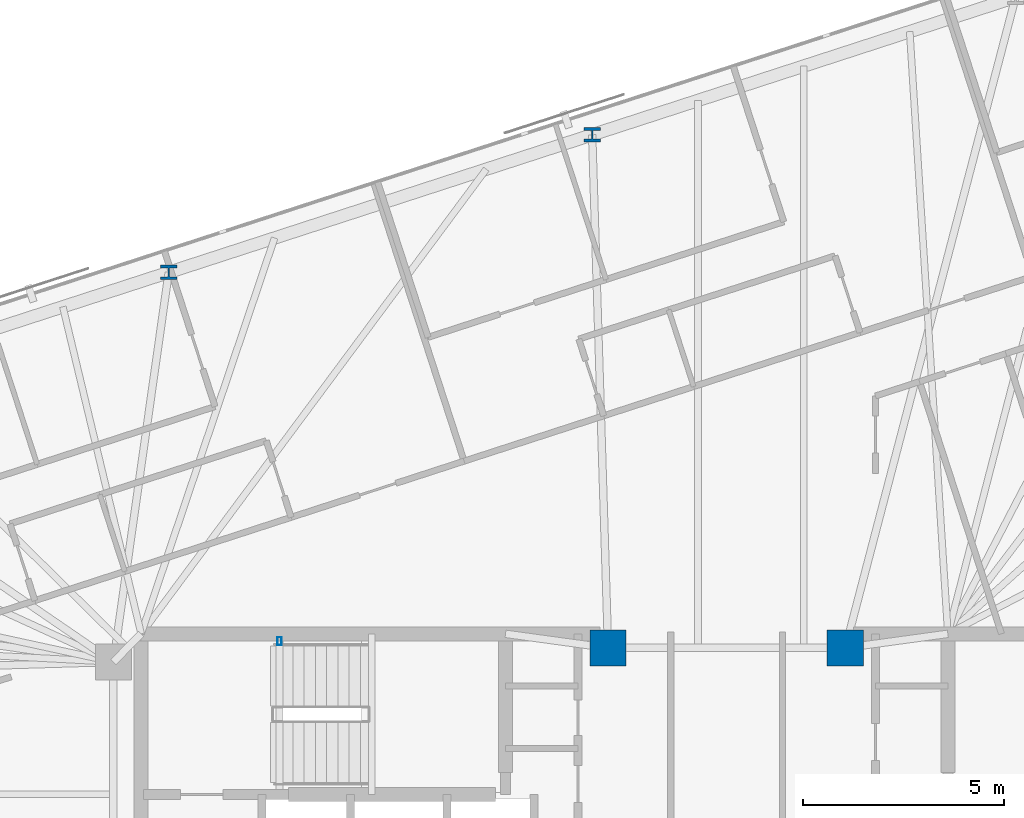
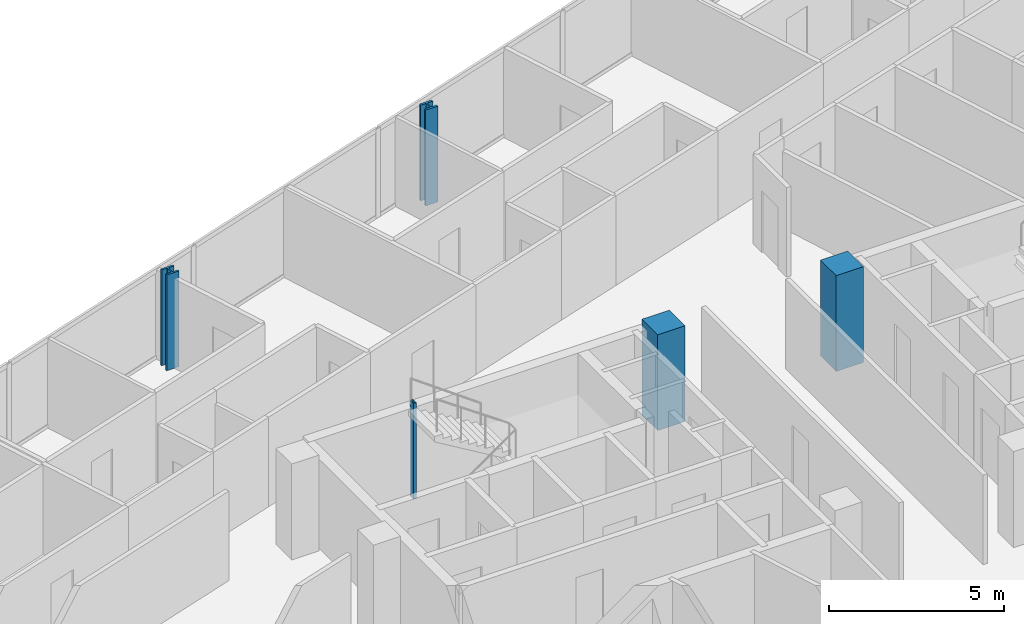
# One storey, part 2 of 20: 5 columns.
"""IFC4 building model written with IfcOpenShell, lengths in metres."""

from ifc_helpers import new_model, si_unit, direction, frame, origin, origin_2d, place, context, subcontext, project, spatial, rectangle, hollow_rectangle, i_section, extrude, material, material_profile, profile_set, type_object, element, save


model = new_model("IFC4")

# Units and contexts
model_context = context("Model", 3, precision=1e-05, world=origin(), true_north=direction((0.0, 1.0)))
body_context = subcontext(model_context, "Body", "Model", "MODEL_VIEW")
ifc_project = project(units=[si_unit("LENGTHUNIT", "METRE"), si_unit("AREAUNIT", "SQUARE_METRE"), si_unit("VOLUMEUNIT", "CUBIC_METRE"), si_unit("PLANEANGLEUNIT", "RADIAN"), si_unit("MASSUNIT", "GRAM", prefix="KILO")], contexts=[model_context])

# Site, building, storey
site_placement = place(None, origin())
site = spatial("IfcSite", under=ifc_project, at=site_placement, CompositionType="ELEMENT")
building_placement = place(site_placement, origin())
building = spatial("IfcBuilding", under=site, at=building_placement, Name="Menara Jurai Vektor", CompositionType="ELEMENT")
storey_placement = place(building_placement, frame((0.0, 0.0, 224.300048828125)))
storey = spatial("IfcBuildingStorey", under=building, at=storey_placement, Name="L59", CompositionType="ELEMENT", Elevation=224.300048828125)

# Columns
ifc_material_1 = material(Name="Concrete C50/60", Category="concrete")
ifc_material_profile_1 = material_profile(ifc_material_1, rectangle(XDim=0.89990234375, YDim=0.89990234375, at=origin_2d()), Name="RC 900x900")
ifc_profile_set_1 = profile_set([ifc_material_profile_1], Name="Concrete C50/60")
column_type_1 = type_object("IfcColumnType", Name="STR-COL-RC900", PredefinedType="COLUMN", material=ifc_profile_set_1)
for number, where, z_axis, x_axis, name in (
    (1, (-2.949951171875, 5.25, 0.0), (0.0, 0.0, 1.0), (1.0, 0.0, 0.0), "Core Spine Column CW-NE L59"),
    (2, (2.949951171875, 5.25, 0.0), (0.0, 0.0, 1.0), (1.0, 0.0, 0.0), "Core Spine Column CE-NW L59"),
):
    element("IfcColumn", number, at=place(storey_placement, frame(where, z_axis=z_axis, x_axis=x_axis)), inside=storey, type_object=column_type_1, Name=name, PredefinedType="COLUMN", context=body_context, shape_type="SweptSolid", body=[
        extrude(rectangle(XDim=0.89990234375, YDim=0.89990234375, at=origin_2d()), origin(), (0.0, 0.0, 1.0), 3.349853515625),
    ])
ifc_material_2 = material(Name="Steel S355", Category="steel")
ifc_material_profile_2 = material_profile(ifc_material_2, hollow_rectangle(XDim=0.10009765625, YDim=0.199951171875, WallThickness=0.008056640625, at=origin_2d()), Name="RHS 200x100x8")
ifc_profile_set_2 = profile_set([ifc_material_profile_2], Name="Steel S355")
column_type_2 = type_object("IfcColumnType", Name="STR-COL-STAIR", PredefinedType="COLUMN", material=ifc_profile_set_2)
column_placement = place(storey_placement, frame((-11.1201171875, 5.419921875, 0.0), z_axis=(0.0, 0.0, 1.0), x_axis=(1.0, 0.0, 0.0)))
element("IfcColumn", 3, at=column_placement, inside=storey, type_object=column_type_2, Name="Stair Well Header Column ST1-P2 L59", PredefinedType="COLUMN", context=body_context, shape_type="SweptSolid", body=[
    extrude(hollow_rectangle(XDim=0.10009765625, YDim=0.199951171875, WallThickness=0.008056640625, at=origin_2d()), origin(), (0.0, 0.0, 1.0), 3.349853515625),
])
ifc_material_3 = material(Name="Steel S460", Category="steel")
ifc_material_profile_3 = material_profile(ifc_material_3, i_section(OverallWidth=0.405029296875, OverallDepth=0.35498046875, WebThickness=0.0419921875, FlangeThickness=0.068115234375, FilletRadius=0.014892578125, at=origin_2d()), Name="HD 400x551")
ifc_profile_set_3 = profile_set([ifc_material_profile_3], Name="Steel S460")
column_type_3 = type_object("IfcColumnType", Name="STR-EXO-BLK4", PredefinedType="COLUMN", material=ifc_profile_set_3)
for number, where, z_axis, x_axis, name in (
    (4, (-3.345703125, 18.008544921875, 0.0), (0.0, 0.0, 1.0), (1.0, 0.0, 0.0), "Exoskeleton Column BLK4-N3 L59"),
    (5, (-13.875, 14.58740234375, 0.0), (0.0, 0.0, 1.0), (1.0, 0.0, 0.0), "Exoskeleton Column BLK4-N4 L59"),
):
    element("IfcColumn", number, at=place(storey_placement, frame(where, z_axis=z_axis, x_axis=x_axis)), inside=storey, type_object=column_type_3, Name=name, PredefinedType="COLUMN", context=body_context, shape_type="SweptSolid", body=[
        extrude(i_section(OverallWidth=0.405029296875, OverallDepth=0.35498046875, WebThickness=0.0419921875, FlangeThickness=0.068115234375, FilletRadius=0.014892578125, at=origin_2d()), origin(), (0.0, 0.0, 1.0), 3.349853515625),
    ])

save(model, "model.ifc")
